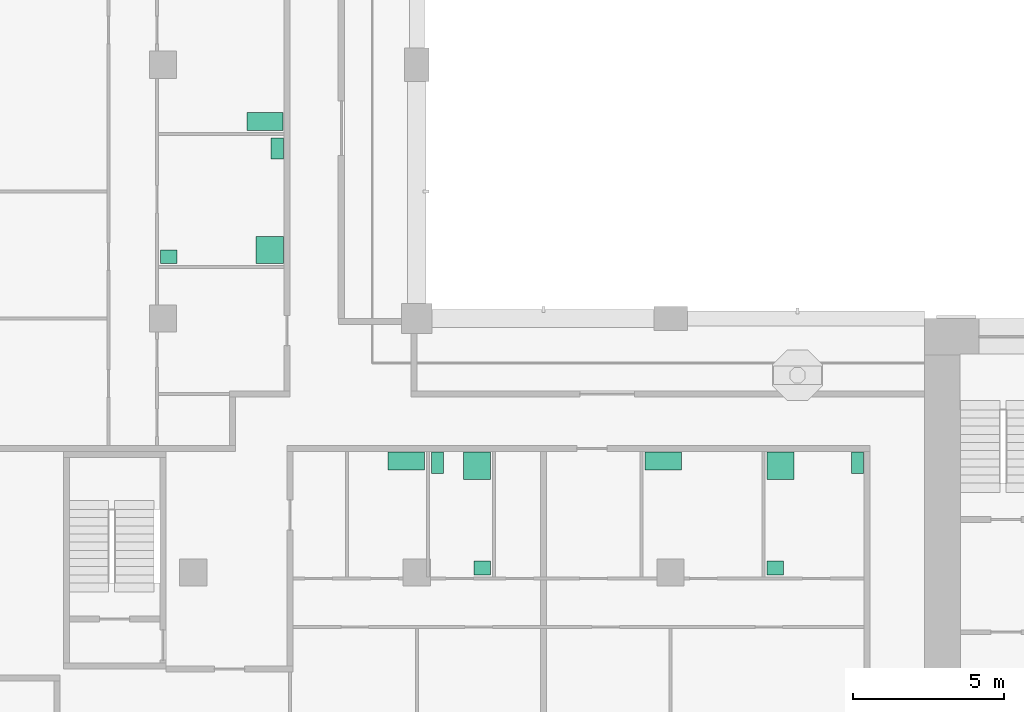
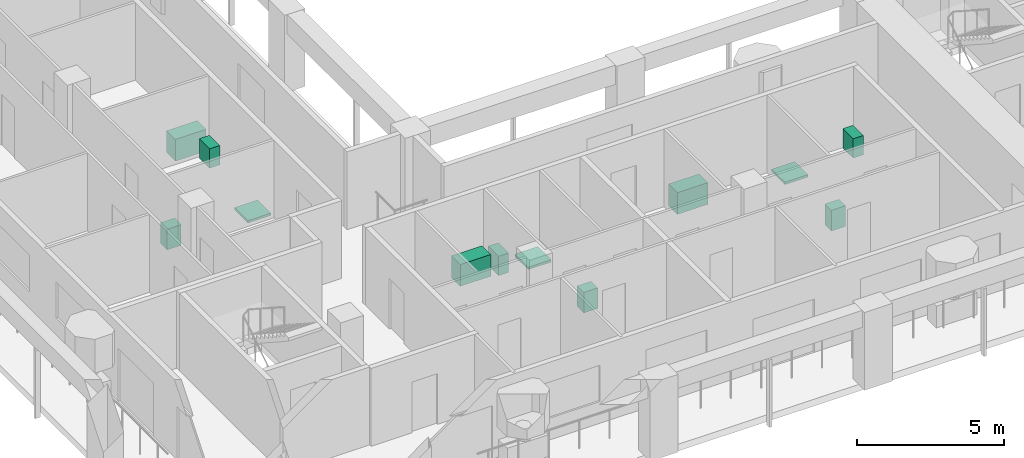
# One storey, part 9 of 11: 12 sanitary terminals.
"""IFC4 building model written with IfcOpenShell, lengths in metres."""

from ifc_helpers import new_model, si_unit, direction, frame, origin, origin_2d, place, context, subcontext, project, spatial, rectangle, extrude, material, element, save


model = new_model("IFC4")

# Units and contexts
model_context = context("Model", 3, precision=1e-05, world=origin(), true_north=direction((0.0, 1.0)))
body_context = subcontext(model_context, "Body", "Model", "MODEL_VIEW")
ifc_project = project(units=[si_unit("LENGTHUNIT", "METRE"), si_unit("AREAUNIT", "SQUARE_METRE"), si_unit("VOLUMEUNIT", "CUBIC_METRE"), si_unit("PLANEANGLEUNIT", "RADIAN"), si_unit("MASSUNIT", "GRAM", prefix="KILO")], contexts=[model_context])

# Site, building, storey
site_placement = place(None, origin())
site = spatial("IfcSite", under=ifc_project, at=site_placement, CompositionType="ELEMENT")
building_placement = place(site_placement, origin())
building = spatial("IfcBuilding", under=site, at=building_placement, Name="Vermilion Gate Residences", CompositionType="ELEMENT")
storey_placement = place(building_placement, frame((0.0, 0.0, 263.199951171875)))
storey = spatial("IfcBuildingStorey", under=building, at=storey_placement, Name="L69", CompositionType="ELEMENT", Elevation=263.199951171875)

# Sanitary terminals
ifc_material_1 = material(Name="Stainless steel", Category="steel")
sanitary_terminal_1_placement = place(storey_placement, frame((24.847900390625, 20.47998046875, 0.0), z_axis=(0.0, 0.0, 1.0), x_axis=(1.0, 0.0, 0.0)))
element("IfcSanitaryTerminal", 1, at=sanitary_terminal_1_placement, inside=storey, material=ifc_material_1, Name="Kitchen sink", PredefinedType="SINK", context=body_context, shape_type="SweptSolid", body=[
    extrude(rectangle(XDim=1.199951171875, YDim=0.60009765625, at=origin_2d()), origin(), (0.0, 0.0, 1.0), 0.89990234375),
])
ifc_material_2 = material(Name="Vitreous china")
sanitary_terminal_2_placement = place(storey_placement, frame((27.18798828125, 20.330078125, 0.0), z_axis=(0.0, 0.0, 1.0), x_axis=(1.0, 0.0, 0.0)))
element("IfcSanitaryTerminal", 2, at=sanitary_terminal_2_placement, inside=storey, material=ifc_material_2, Name="Shower tray", PredefinedType="SHOWER", context=body_context, shape_type="SweptSolid", body=[
    extrude(rectangle(XDim=0.89990234375, YDim=0.89990234375, at=origin_2d()), origin(), (0.0, 0.0, 1.0), 0.10009765625),
])
sanitary_terminal_3_placement = place(storey_placement, frame((25.887939453125, 20.429931640625, 0.0), z_axis=(0.0, 0.0, 1.0), x_axis=(1.0, 0.0, 0.0)))
element("IfcSanitaryTerminal", 3, at=sanitary_terminal_3_placement, inside=storey, material=ifc_material_2, Name="Toilet", PredefinedType="TOILETPAN", context=body_context, shape_type="SweptSolid", body=[
    extrude(rectangle(XDim=0.39990234375, YDim=0.699951171875, at=origin_2d()), origin(), (0.0, 0.0, 1.0), 0.800048828125),
])
sanitary_terminal_4_placement = place(storey_placement, frame((27.363037109375, 16.945068359375, 0.0), z_axis=(0.0, 0.0, 1.0), x_axis=(1.0, 0.0, 0.0)))
element("IfcSanitaryTerminal", 4, at=sanitary_terminal_4_placement, inside=storey, material=ifc_material_2, Name="Wash basin", PredefinedType="WASHHANDBASIN", context=body_context, shape_type="SweptSolid", body=[
    extrude(rectangle(XDim=0.550048828125, YDim=0.449951171875, at=origin_2d()), origin(), (0.0, 0.0, 1.0), 0.85009765625),
])
sanitary_terminal_5_placement = place(storey_placement, frame((33.35302734375, 20.47998046875, 0.0), z_axis=(0.0, 0.0, 1.0), x_axis=(1.0, 0.0, 0.0)))
element("IfcSanitaryTerminal", 5, at=sanitary_terminal_5_placement, inside=storey, material=ifc_material_1, Name="Kitchen sink", PredefinedType="SINK", context=body_context, shape_type="SweptSolid", body=[
    extrude(rectangle(XDim=1.199951171875, YDim=0.60009765625, at=origin_2d()), origin(), (0.0, 0.0, 1.0), 0.89990234375),
])
sanitary_terminal_6_placement = place(storey_placement, frame((37.237060546875, 20.330078125, 0.0), z_axis=(0.0, 0.0, 1.0), x_axis=(1.0, 0.0, 0.0)))
element("IfcSanitaryTerminal", 6, at=sanitary_terminal_6_placement, inside=storey, material=ifc_material_2, Name="Shower tray", PredefinedType="SHOWER", context=body_context, shape_type="SweptSolid", body=[
    extrude(rectangle(XDim=0.89990234375, YDim=0.89990234375, at=origin_2d()), origin(), (0.0, 0.0, 1.0), 0.10009765625),
])
sanitary_terminal_7_placement = place(storey_placement, frame((39.780029296875, 20.429931640625, 0.0), z_axis=(0.0, 0.0, 1.0), x_axis=(1.0, 0.0, 0.0)))
element("IfcSanitaryTerminal", 7, at=sanitary_terminal_7_placement, inside=storey, material=ifc_material_2, Name="Toilet", PredefinedType="TOILETPAN", context=body_context, shape_type="SweptSolid", body=[
    extrude(rectangle(XDim=0.39990234375, YDim=0.699951171875, at=origin_2d()), origin(), (0.0, 0.0, 1.0), 0.800048828125),
])
sanitary_terminal_8_placement = place(storey_placement, frame((37.06201171875, 16.945068359375, 0.0), z_axis=(0.0, 0.0, 1.0), x_axis=(1.0, 0.0, 0.0)))
element("IfcSanitaryTerminal", 8, at=sanitary_terminal_8_placement, inside=storey, material=ifc_material_2, Name="Wash basin", PredefinedType="WASHHANDBASIN", context=body_context, shape_type="SweptSolid", body=[
    extrude(rectangle(XDim=0.550048828125, YDim=0.449951171875, at=origin_2d()), origin(), (0.0, 0.0, 1.0), 0.85009765625),
])
sanitary_terminal_9_placement = place(storey_placement, frame((20.330078125, 27.469970703125, 0.0), z_axis=(0.0, 0.0, 1.0), x_axis=(1.0, 0.0, 0.0)))
element("IfcSanitaryTerminal", 9, at=sanitary_terminal_9_placement, inside=storey, material=ifc_material_2, Name="Shower tray", PredefinedType="SHOWER", context=body_context, shape_type="SweptSolid", body=[
    extrude(rectangle(XDim=0.89990234375, YDim=0.89990234375, at=origin_2d()), origin(), (0.0, 0.0, 1.0), 0.10009765625),
])
sanitary_terminal_10_placement = place(storey_placement, frame((20.580078125, 30.830078125, 0.0), z_axis=(0.0, 0.0, 1.0), x_axis=(1.0, 0.0, 0.0)))
element("IfcSanitaryTerminal", 10, at=sanitary_terminal_10_placement, inside=storey, material=ifc_material_2, Name="Toilet", PredefinedType="TOILETPAN", context=body_context, shape_type="SweptSolid", body=[
    extrude(rectangle(XDim=0.39990234375, YDim=0.699951171875, at=origin_2d()), origin(), (0.0, 0.0, 1.0), 0.800048828125),
])
sanitary_terminal_11_placement = place(storey_placement, frame((16.9951171875, 27.2451171875, 0.0), z_axis=(0.0, 0.0, 1.0), x_axis=(1.0, 0.0, 0.0)))
element("IfcSanitaryTerminal", 11, at=sanitary_terminal_11_placement, inside=storey, material=ifc_material_2, Name="Wash basin", PredefinedType="WASHHANDBASIN", context=body_context, shape_type="SweptSolid", body=[
    extrude(rectangle(XDim=0.550048828125, YDim=0.449951171875, at=origin_2d()), origin(), (0.0, 0.0, 1.0), 0.85009765625),
])
sanitary_terminal_12_placement = place(storey_placement, frame((20.179931640625, 31.719970703125, 0.0), z_axis=(0.0, 0.0, 1.0), x_axis=(1.0, 0.0, 0.0)))
element("IfcSanitaryTerminal", 12, at=sanitary_terminal_12_placement, inside=storey, material=ifc_material_1, Name="Kitchen sink", PredefinedType="SINK", context=body_context, shape_type="SweptSolid", body=[
    extrude(rectangle(XDim=1.199951171875, YDim=0.60009765625, at=origin_2d()), origin(), (0.0, 0.0, 1.0), 0.89990234375),
])

save(model, "model.ifc")
